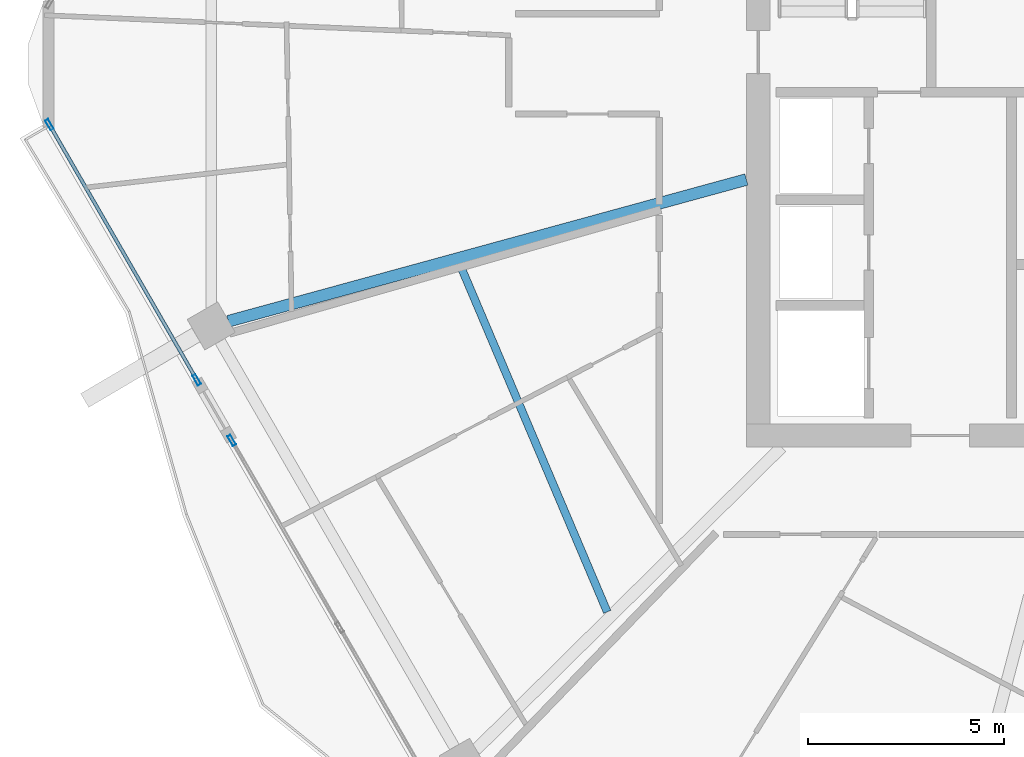
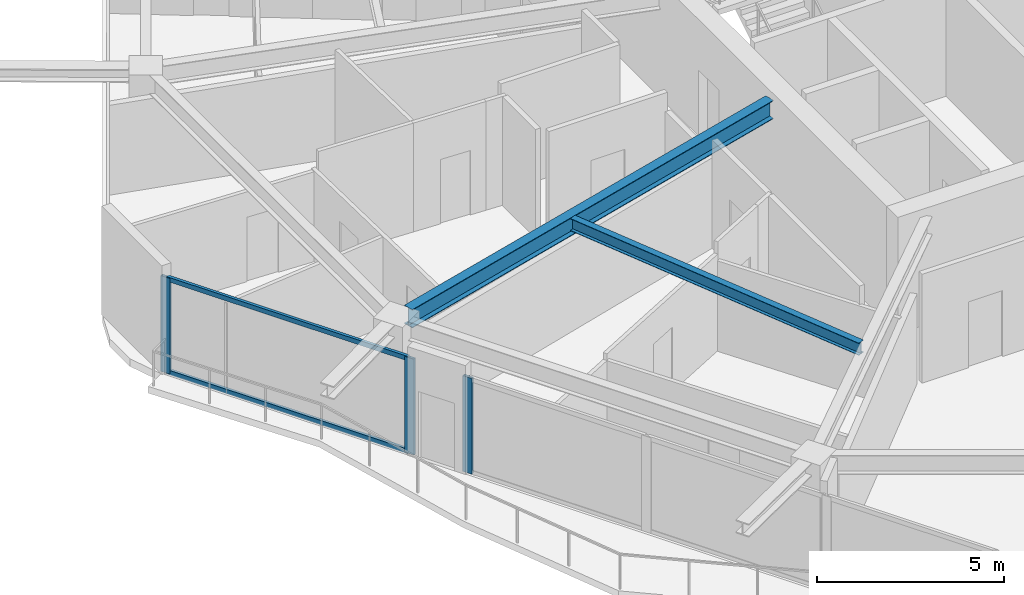
# One storey, part 5 of 26: 5 members, 2 beams, 2 elements without a shape of their own.
"""IFC4 building model written with IfcOpenShell, lengths in metres."""

from ifc_helpers import new_model, si_unit, direction, frame, origin, origin_2d, place, context, subcontext, project, spatial, hollow_rectangle, i_section, extrude, material, material_profile, profile_set, type_object, element, aggregate, save


model = new_model("IFC4")

# Units and contexts
model_context = context("Model", 3, precision=1e-05, world=origin(), true_north=direction((0.0, 1.0)))
body_context = subcontext(model_context, "Body", "Model", "MODEL_VIEW")
ifc_project = project(units=[si_unit("LENGTHUNIT", "METRE"), si_unit("AREAUNIT", "SQUARE_METRE"), si_unit("VOLUMEUNIT", "CUBIC_METRE"), si_unit("PLANEANGLEUNIT", "RADIAN"), si_unit("MASSUNIT", "GRAM", prefix="KILO")], contexts=[model_context])

# Site, building, storey
site_placement = place(None, origin())
site = spatial("IfcSite", under=ifc_project, at=site_placement, CompositionType="ELEMENT")
building_placement = place(site_placement, origin())
building = spatial("IfcBuilding", under=site, at=building_placement, Name="Zuhravey Tower", CompositionType="ELEMENT")
storey_placement = place(building_placement, frame((0.0, 0.0, 250.199951171875)))
storey = spatial("IfcBuildingStorey", under=building, at=storey_placement, Name="L63", CompositionType="ELEMENT", Elevation=250.199951171875)

# Curtain wall, member
ifc_material_1 = material(Name="Thermally broken anodised aluminium", Category="aluminium")
curtain_wall_type = type_object("IfcCurtainWallType", Name="Zone 3-4 High-Rise Curtain Wall CW4", PredefinedType="NOTDEFINED", material=ifc_material_1)
curtain_wall_1_placement = place(storey_placement, origin())
curtain_wall_1 = element("IfcCurtainWall", 1, at=curtain_wall_1_placement, inside=storey, type_object=curtain_wall_type, Name="L63 CW4 CW-L63-F4-1", PredefinedType="NOTDEFINED")
ifc_material_2 = material(Name="Anodised aluminium", Category="aluminium")
ifc_material_profile_1 = material_profile(ifc_material_2, hollow_rectangle(XDim=0.090087890625, YDim=0.284912109375, WallThickness=0.0048828125, at=origin_2d()), Name="ALU-RHS-90x285x5")
ifc_profile_set_1 = profile_set([ifc_material_profile_1], Name="Anodised aluminium")
member_type_1 = type_object("IfcMemberType", Name="Curtain-Wall Mullion 90x180", PredefinedType="MULLION", material=ifc_profile_set_1)
member_1_placement = place(storey_placement, frame((12.039306640625, 22.373779296875, 0.0), z_axis=(0.0, 0.0, 1.0), x_axis=(-0.866024854747, -0.50000095096, 0.0)))
member_1 = element("IfcMember", 2, at=member_1_placement, type_object=member_type_1, Name="CW4 mullion 4", PredefinedType="MULLION", context=body_context, shape_type="SweptSolid", body=[
    extrude(hollow_rectangle(XDim=0.090087890625, YDim=0.284912109375, WallThickness=0.0048828125, at=origin_2d()), origin(), (0.0, 0.0, 1.0), 3.1220703125),
])
aggregate(curtain_wall_1, [member_1])

# Curtain wall, members
curtain_wall_2_placement = place(storey_placement, origin())
curtain_wall_2 = element("IfcCurtainWall", 3, at=curtain_wall_2_placement, inside=storey, type_object=curtain_wall_type, Name="L63 CW4 CW-L63-F4-2", PredefinedType="NOTDEFINED")
member_2_placement = place(storey_placement, frame((11.144287109375, 23.924072265625, 0.0), z_axis=(0.0, 0.0, 1.0), x_axis=(-0.866022856579, -0.500004411864, 0.0)))
member_2 = element("IfcMember", 4, at=member_2_placement, type_object=member_type_1, Name="CW4 mullion 1", PredefinedType="MULLION", context=body_context, shape_type="SweptSolid", body=[
    extrude(hollow_rectangle(XDim=0.090087890625, YDim=0.284912109375, WallThickness=0.0048828125, at=origin_2d()), origin(), (0.0, 0.0, 1.0), 3.1220703125),
])
member_3_placement = place(storey_placement, frame((7.37744140625, 30.448486328125, 0.0), z_axis=(0.0, 0.0, 1.0), x_axis=(-0.866022856579, -0.500004411864, 0.0)))
member_3 = element("IfcMember", 5, at=member_3_placement, type_object=member_type_1, Name="CW4 mullion 2", PredefinedType="MULLION", context=body_context, shape_type="SweptSolid", body=[
    extrude(hollow_rectangle(XDim=0.090087890625, YDim=0.284912109375, WallThickness=0.0048828125, at=origin_2d()), origin(), (0.0, 0.0, 1.0), 3.1220703125),
])
ifc_material_profile_2 = material_profile(ifc_material_2, hollow_rectangle(XDim=0.090087890625, YDim=0.14990234375, WallThickness=0.0048828125, at=origin_2d()), Name="ALU-RHS-90x150x5")
ifc_profile_set_2 = profile_set([ifc_material_profile_2], Name="Anodised aluminium")
member_type_2 = type_object("IfcMemberType", Name="Curtain-Wall Transom 90x150", PredefinedType="USERDEFINED", material=ifc_profile_set_2)
member_4_placement = place(storey_placement, frame((11.121826171875, 23.962890625, 0.045166015625), z_axis=(-0.499987425447, 0.866032663584, 0.0), x_axis=(-0.866032663584, -0.499987425447, 0.0)))
member_4 = element("IfcMember", 6, at=member_4_placement, type_object=member_type_2, Name="CW4 transom 1.1", ObjectType="TRANSOM", PredefinedType="USERDEFINED", context=body_context, shape_type="SweptSolid", body=[
    extrude(hollow_rectangle(XDim=0.090087890625, YDim=0.14990234375, WallThickness=0.0048828125, at=origin_2d()), origin(), (0.0, 0.0, 1.0), 7.444091796875),
])
member_5_placement = place(storey_placement, frame((11.121826171875, 23.962890625, 3.0771484375), z_axis=(-0.499987425447, 0.866032663584, 0.0), x_axis=(-0.866032663584, -0.499987425447, 0.0)))
member_5 = element("IfcMember", 7, at=member_5_placement, type_object=member_type_2, Name="CW4 transom 1.2", ObjectType="TRANSOM", PredefinedType="USERDEFINED", context=body_context, shape_type="SweptSolid", body=[
    extrude(hollow_rectangle(XDim=0.090087890625, YDim=0.14990234375, WallThickness=0.0048828125, at=origin_2d()), origin(), (0.0, 0.0, 1.0), 7.444091796875),
])
aggregate(curtain_wall_2, [member_2, member_3, member_4, member_5])

# Beams
ifc_material_3 = material(Name="Steel SM355", Category="steel")
ifc_material_profile_3 = material_profile(ifc_material_3, i_section(OverallWidth=0.300048828125, OverallDepth=0.60009765625, WebThickness=0.011962890625, FlangeThickness=0.02001953125, at=origin_2d()), Name="H-600x300x12x20")
ifc_profile_set_3 = profile_set([ifc_material_profile_3], Name="Steel SM355")
beam_type_1 = type_object("IfcBeamType", Name="Radial Primary Girder H600x300", PredefinedType="BEAM", material=ifc_profile_set_3)
beam_1_placement = place(storey_placement, frame((25.197021484375, 29.04443359375, 3.25), z_axis=(-0.964548913045, -0.26390413855, 0.0), x_axis=(0.26390413855, -0.964548913045, 0.0)))
element("IfcBeam", 8, at=beam_1_placement, inside=storey, type_object=beam_type_1, Name="L63 RG3 BM-L63-RAD-07", PredefinedType="BEAM", context=body_context, shape_type="SweptSolid", body=[
    extrude(i_section(OverallWidth=0.300048828125, OverallDepth=0.60009765625, WebThickness=0.011962890625, FlangeThickness=0.02001953125, at=origin_2d()), origin(), (0.0, 0.0, 1.0), 13.7314453125),
])
ifc_material_profile_4 = material_profile(ifc_material_3, i_section(OverallWidth=0.199951171875, OverallDepth=0.39990234375, WebThickness=0.008056640625, FlangeThickness=0.012939453125, at=origin_2d()), Name="H-400x200x8x13")
ifc_profile_set_4 = profile_set([ifc_material_profile_4], Name="Steel SM355")
beam_type_2 = type_object("IfcBeamType", Name="Secondary Floor Joist H400x200", PredefinedType="JOIST", material=ifc_profile_set_4)
beam_2_placement = place(storey_placement, frame((17.869140625, 26.881103515625, 3.35009765625), z_axis=(0.390413493754, -0.920639616731, 0.0), x_axis=(0.920639616731, 0.390413493754, 0.0)))
element("IfcBeam", 9, at=beam_2_placement, inside=storey, type_object=beam_type_2, Name="L63 SJ2 BM-L63-SJ-07-1", PredefinedType="JOIST", context=body_context, shape_type="SweptSolid", body=[
    extrude(i_section(OverallWidth=0.199951171875, OverallDepth=0.39990234375, WebThickness=0.008056640625, FlangeThickness=0.012939453125, at=origin_2d()), origin(), (0.0, 0.0, 1.0), 9.656494140625),
])

save(model, "model.ifc")
